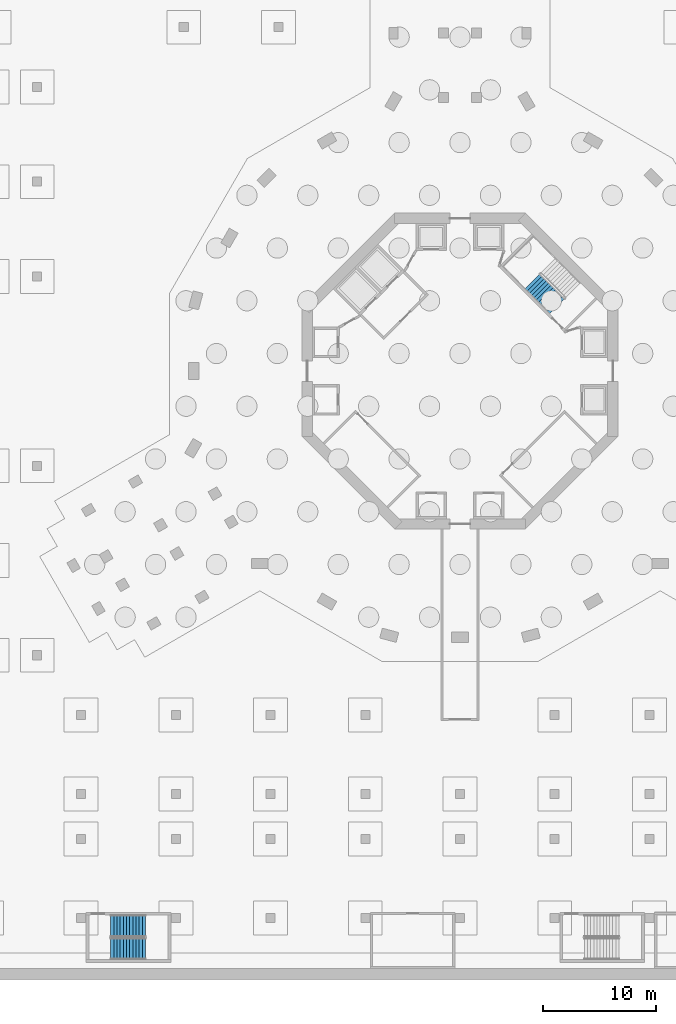
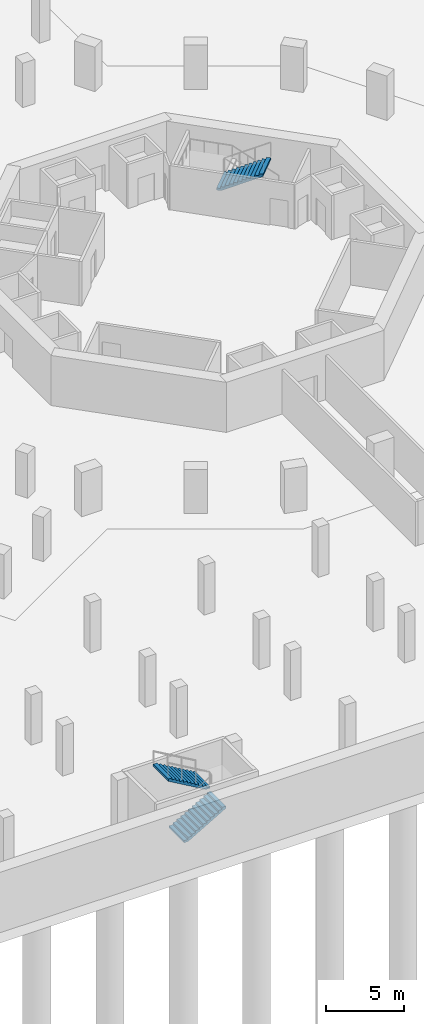
# One storey, part 14 of 27: 3 stair flights, 2 elements without a shape of their own.
"""IFC4 building model written with IfcOpenShell, lengths in metres."""

from ifc_helpers import new_model, si_unit, direction, frame, origin, place, context, subcontext, project, spatial, triangles, material, type_object, element, aggregate, save


model = new_model("IFC4")

# Units and contexts
model_context = context("Model", 3, precision=1e-05, world=origin(), true_north=direction((0.0, 1.0)))
body_context = subcontext(model_context, "Body", "Model", "MODEL_VIEW")
ifc_project = project(units=[si_unit("LENGTHUNIT", "METRE"), si_unit("AREAUNIT", "SQUARE_METRE"), si_unit("VOLUMEUNIT", "CUBIC_METRE"), si_unit("PLANEANGLEUNIT", "RADIAN"), si_unit("MASSUNIT", "GRAM", prefix="KILO")], contexts=[model_context])

# Site, building, storey
site_placement = place(None, origin())
site = spatial("IfcSite", under=ifc_project, at=site_placement, CompositionType="ELEMENT")
building_placement = place(site_placement, origin())
building = spatial("IfcBuilding", under=site, at=building_placement, Name="Verdalira Terraces Hotel", CompositionType="ELEMENT")
storey_placement = place(building_placement, frame((0.0, 0.0, -11.699951)))
storey = spatial("IfcBuildingStorey", under=building, at=storey_placement, Name="B3", CompositionType="ELEMENT", Elevation=-11.699951171875)

# Stair, stair flights
ifc_material_1 = material(Name="Concrete C40", Category="concrete")
stair_type_1 = type_object("IfcStairType", Name="Car park stair 24 risers", PredefinedType="HALF_TURN_STAIR", material=ifc_material_1)
stair_1_placement = place(storey_placement, origin())
stair_1 = element("IfcStair", 1, at=stair_1_placement, inside=storey, type_object=stair_type_1, Name="B3 Exit stair Basement stair 1", PredefinedType="HALF_TURN_STAIR")
ifc_material_2 = material(Name="Concrete C40", Category="concrete")
stair_flight_type_1 = type_object("IfcStairFlightType", Name="Car park stair flight 24 risers", PredefinedType="STRAIGHT", material=ifc_material_2)
stair_flight_1_placement = place(storey_placement, frame((-30.975098, -51.237549, 0.0), z_axis=(0.0, 0.0, 1.0), x_axis=(1.0, 0.0, 0.0)))
stair_flight_1 = element("IfcStairFlight", 2, at=stair_flight_1_placement, type_object=stair_flight_type_1, Name="Basement stair 1 flight 1", NumberOfRisers=12, NumberOfTreads=11, PredefinedType="STRAIGHT", RiserHeight=0.1625, TreadLength=0.28, context=body_context, shape_type="Tessellation", body=[
    triangles([(0.0, 0.962524, 0.0), (0.298584, 0.962524, 0.0), (3.080078, 0.962524, 1.614258), (0.0, -0.962524, 0.0), (0.298584, -0.962524, 0.0), (3.080078, -0.962524, 1.614258), (3.080078, 0.962524, 1.787598), (2.800049, 0.962524, 1.787598), (3.080078, -0.962524, 1.787598), (2.800049, -0.962524, 1.787598), (2.800049, 0.962524, 1.625), (2.800049, -0.962524, 1.625), (2.52002, 0.962524, 1.625), (2.52002, -0.962524, 1.625), (2.52002, 0.962524, 1.462402), (2.52002, -0.962524, 1.462402), (2.23999, 0.962524, 1.462402), (2.23999, 0.962524, 1.300049), (2.23999, -0.962524, 1.462402), (2.23999, -0.962524, 1.300049), (1.959961, 0.962524, 1.300049), (1.959961, 0.962524, 1.137451), (1.959961, -0.962524, 1.300049), (1.959961, -0.962524, 1.137451), (1.679932, 0.962524, 1.137451), (1.679932, 0.962524, 0.975098), (1.679932, -0.962524, 1.137451), (1.679932, -0.962524, 0.975098), (1.399902, 0.962524, 0.975098), (1.399902, 0.962524, 0.8125), (1.399902, -0.962524, 0.975098), (1.399902, -0.962524, 0.8125), (1.120117, 0.962524, 0.8125), (1.120117, 0.962524, 0.649902), (1.120117, -0.962524, 0.8125), (1.120117, -0.962524, 0.649902), (0.840088, 0.962524, 0.649902), (0.840088, 0.962524, 0.487549), (0.840088, -0.962524, 0.649902), (0.840088, -0.962524, 0.487549), (0.560059, 0.962524, 0.487549), (0.560059, 0.962524, 0.324951), (0.560059, -0.962524, 0.487549), (0.560059, -0.962524, 0.324951), (0.280029, 0.962524, 0.324951), (0.280029, 0.962524, 0.162598), (0.280029, -0.962524, 0.324951), (0.280029, -0.962524, 0.162598), (0.0, 0.962524, 0.162598), (0.0, -0.962524, 0.162598), (0.0, -0.902367, 0.0), (0.0, -0.902367, 0.162598), (0.0, -0.842209, 0.0), (0.0, -0.842209, 0.162598), (0.0, -0.782051, 0.0), (0.0, -0.782051, 0.162598), (0.0, -0.721893, 0.0), (0.0, -0.721893, 0.162598), (0.0, -0.661736, 0.0), (0.0, -0.661736, 0.162598), (0.0, -0.601578, 0.0), (0.0, -0.601578, 0.162598), (0.0, -0.54142, 0.0), (0.0, -0.54142, 0.162598), (0.0, -0.481262, 0.0), (0.0, -0.481262, 0.162598), (0.0, -0.421104, 0.0), (0.0, -0.421104, 0.162598), (0.0, -0.360947, 0.0), (0.0, -0.360947, 0.162598), (0.0, -0.300789, 0.0), (0.0, -0.300789, 0.162598), (0.0, -0.240631, 0.0), (0.0, -0.240631, 0.162598), (0.0, -0.180473, 0.0), (0.0, -0.180473, 0.162598), (0.0, -0.120316, 0.0), (0.0, -0.120316, 0.162598), (0.0, -0.060158, 0.0), (0.0, -0.060158, 0.162598), (0.0, 0.0, 0.0), (0.0, 0.0, 0.162598), (0.0, 0.060158, 0.0), (0.0, 0.060158, 0.162598), (0.0, 0.120316, 0.0), (0.0, 0.120316, 0.162598), (0.0, 0.180473, 0.0), (0.0, 0.180473, 0.162598), (0.0, 0.240631, 0.0), (0.0, 0.240631, 0.162598), (0.0, 0.300789, 0.0), (0.0, 0.300789, 0.162598), (0.0, 0.360947, 0.0), (0.0, 0.360947, 0.162598), (0.0, 0.421104, 0.0), (0.0, 0.421104, 0.162598), (0.0, 0.481262, 0.0), (0.0, 0.481262, 0.162598), (0.0, 0.54142, 0.0), (0.0, 0.54142, 0.162598), (0.0, 0.601578, 0.0), (0.0, 0.601578, 0.162598), (0.0, 0.661736, 0.0), (0.0, 0.661736, 0.162598), (0.0, 0.721893, 0.0), (0.0, 0.721893, 0.162598), (0.0, 0.782051, 0.0), (0.0, 0.782051, 0.162598), (0.0, 0.842209, 0.0), (0.0, 0.842209, 0.162598), (0.0, 0.902367, 0.0), (0.0, 0.902367, 0.162598), (3.080078, -0.902367, 1.787598), (3.080078, -0.842209, 1.787598), (3.080078, -0.782051, 1.787598), (3.080078, -0.721893, 1.787598), (3.080078, -0.661736, 1.787598), (3.080078, -0.601578, 1.787598), (3.080078, -0.54142, 1.787598), (3.080078, -0.481262, 1.787598), (3.080078, -0.421104, 1.787598), (3.080078, -0.360947, 1.787598), (3.080078, -0.300789, 1.787598), (3.080078, -0.240631, 1.787598), (3.080078, -0.180473, 1.787598), (3.080078, -0.120316, 1.787598), (3.080078, -0.060158, 1.787598), (3.080078, 0.0, 1.787598), (3.080078, 0.060158, 1.787598), (3.080078, 0.120316, 1.787598), (3.080078, 0.180473, 1.787598), (3.080078, 0.240631, 1.787598), (3.080078, 0.300789, 1.787598), (3.080078, 0.360947, 1.787598), (3.080078, 0.421104, 1.787598), (3.080078, 0.481262, 1.787598), (3.080078, 0.54142, 1.787598), (3.080078, 0.601578, 1.787598), (3.080078, 0.661736, 1.787598), (3.080078, 0.721893, 1.787598), (3.080078, 0.782051, 1.787598), (3.080078, 0.842209, 1.787598), (3.080078, 0.902367, 1.787598), (3.080078, -0.902367, 1.614258), (3.080078, -0.842209, 1.614258), (3.080078, -0.782051, 1.614258), (3.080078, -0.721893, 1.614258), (3.080078, -0.661736, 1.614258), (3.080078, -0.601578, 1.614258), (3.080078, -0.54142, 1.614258), (3.080078, -0.481262, 1.614258), (3.080078, -0.421104, 1.614258), (3.080078, -0.360947, 1.614258), (3.080078, -0.300789, 1.614258), (3.080078, -0.240631, 1.614258), (3.080078, -0.180473, 1.614258), (3.080078, -0.120316, 1.614258), (3.080078, -0.060158, 1.614258), (3.080078, 0.0, 1.614258), (3.080078, 0.060158, 1.614258), (3.080078, 0.120316, 1.614258), (3.080078, 0.180473, 1.614258), (3.080078, 0.240631, 1.614258), (3.080078, 0.300789, 1.614258), (3.080078, 0.360947, 1.614258), (3.080078, 0.421104, 1.614258), (3.080078, 0.481262, 1.614258), (3.080078, 0.54142, 1.614258), (3.080078, 0.601578, 1.614258), (3.080078, 0.661736, 1.614258), (3.080078, 0.721893, 1.614258), (3.080078, 0.782051, 1.614258), (3.080078, 0.842209, 1.614258), (3.080078, 0.902367, 1.614258)], [[1, 3, 2], [4, 5, 6], [3, 8, 7], [6, 9, 10], [3, 11, 8], [6, 10, 12], [3, 13, 11], [6, 12, 14], [3, 15, 13], [6, 14, 16], [15, 18, 17], [16, 19, 20], [3, 18, 15], [6, 16, 20], [18, 22, 21], [20, 23, 24], [3, 22, 18], [6, 20, 24], [22, 26, 25], [24, 27, 28], [3, 26, 22], [6, 24, 28], [26, 30, 29], [28, 31, 32], [3, 30, 26], [6, 28, 32], [30, 34, 33], [32, 35, 36], [3, 34, 30], [6, 32, 36], [34, 38, 37], [36, 39, 40], [3, 38, 34], [6, 36, 40], [38, 42, 41], [40, 43, 44], [3, 42, 38], [6, 40, 44], [1, 42, 3], [4, 6, 44], [42, 46, 45], [44, 47, 48], [1, 46, 42], [4, 44, 48], [46, 1, 49], [48, 50, 4], [4, 52, 51], [4, 50, 52], [51, 54, 53], [51, 52, 54], [53, 56, 55], [53, 54, 56], [55, 58, 57], [55, 56, 58], [57, 60, 59], [57, 58, 60], [59, 62, 61], [59, 60, 62], [61, 64, 63], [61, 62, 64], [63, 66, 65], [63, 64, 66], [65, 68, 67], [65, 66, 68], [67, 70, 69], [67, 68, 70], [69, 72, 71], [69, 70, 72], [71, 74, 73], [71, 72, 74], [73, 76, 75], [73, 74, 76], [75, 78, 77], [75, 76, 78], [77, 80, 79], [77, 78, 80], [79, 82, 81], [79, 80, 82], [81, 84, 83], [81, 82, 84], [83, 86, 85], [83, 84, 86], [85, 88, 87], [85, 86, 88], [87, 90, 89], [87, 88, 90], [89, 92, 91], [89, 90, 92], [91, 94, 93], [91, 92, 94], [93, 96, 95], [93, 94, 96], [95, 98, 97], [95, 96, 98], [97, 100, 99], [97, 98, 100], [99, 102, 101], [99, 100, 102], [101, 104, 103], [101, 102, 104], [103, 106, 105], [103, 104, 106], [105, 108, 107], [105, 106, 108], [107, 110, 109], [107, 108, 110], [109, 112, 111], [109, 110, 112], [111, 49, 1], [111, 112, 49], [50, 48, 52], [52, 48, 54], [54, 48, 56], [56, 48, 58], [58, 48, 60], [60, 48, 62], [62, 48, 64], [64, 48, 66], [66, 48, 68], [68, 48, 70], [70, 48, 72], [72, 48, 74], [74, 48, 76], [76, 48, 78], [78, 48, 80], [80, 48, 82], [82, 48, 84], [84, 48, 86], [86, 48, 88], [88, 48, 90], [90, 48, 92], [92, 48, 94], [94, 48, 96], [96, 48, 98], [98, 48, 100], [100, 48, 102], [102, 48, 104], [104, 48, 106], [106, 48, 108], [108, 48, 110], [110, 48, 112], [112, 48, 49], [49, 48, 46], [48, 45, 46], [48, 47, 45], [47, 42, 45], [47, 44, 42], [44, 41, 42], [44, 43, 41], [43, 38, 41], [43, 40, 38], [40, 37, 38], [40, 39, 37], [39, 34, 37], [39, 36, 34], [36, 33, 34], [36, 35, 33], [35, 30, 33], [35, 32, 30], [32, 29, 30], [32, 31, 29], [31, 26, 29], [31, 28, 26], [28, 25, 26], [28, 27, 25], [27, 22, 25], [27, 24, 22], [24, 21, 22], [24, 23, 21], [23, 18, 21], [23, 20, 18], [20, 17, 18], [20, 19, 17], [19, 15, 17], [19, 16, 15], [16, 13, 15], [16, 14, 13], [14, 11, 13], [14, 12, 11], [12, 8, 11], [12, 10, 8], [9, 113, 10], [113, 114, 10], [114, 115, 10], [115, 116, 10], [116, 117, 10], [117, 118, 10], [118, 119, 10], [119, 120, 10], [120, 121, 10], [121, 122, 10], [122, 123, 10], [123, 124, 10], [124, 125, 10], [125, 126, 10], [126, 127, 10], [127, 128, 10], [128, 129, 10], [129, 130, 10], [130, 131, 10], [131, 132, 10], [132, 133, 10], [133, 134, 10], [134, 135, 10], [135, 136, 10], [136, 137, 10], [137, 138, 10], [138, 139, 10], [139, 140, 10], [140, 141, 10], [141, 142, 10], [142, 143, 10], [143, 7, 10], [7, 8, 10], [9, 144, 113], [9, 6, 144], [113, 145, 114], [113, 144, 145], [114, 146, 115], [114, 145, 146], [115, 147, 116], [115, 146, 147], [116, 148, 117], [116, 147, 148], [117, 149, 118], [117, 148, 149], [118, 150, 119], [118, 149, 150], [119, 151, 120], [119, 150, 151], [120, 152, 121], [120, 151, 152], [121, 153, 122], [121, 152, 153], [122, 154, 123], [122, 153, 154], [123, 155, 124], [123, 154, 155], [124, 156, 125], [124, 155, 156], [125, 157, 126], [125, 156, 157], [126, 158, 127], [126, 157, 158], [127, 159, 128], [127, 158, 159], [128, 160, 129], [128, 159, 160], [129, 161, 130], [129, 160, 161], [130, 162, 131], [130, 161, 162], [131, 163, 132], [131, 162, 163], [132, 164, 133], [132, 163, 164], [133, 165, 134], [133, 164, 165], [134, 166, 135], [134, 165, 166], [135, 167, 136], [135, 166, 167], [136, 168, 137], [136, 167, 168], [137, 169, 138], [137, 168, 169], [138, 170, 139], [138, 169, 170], [139, 171, 140], [139, 170, 171], [140, 172, 141], [140, 171, 172], [141, 173, 142], [141, 172, 173], [142, 174, 143], [142, 173, 174], [143, 3, 7], [143, 174, 3], [6, 5, 144], [144, 5, 145], [145, 5, 146], [146, 5, 147], [147, 5, 148], [148, 5, 149], [149, 5, 150], [150, 5, 151], [151, 5, 152], [152, 5, 153], [153, 5, 154], [154, 5, 155], [155, 5, 156], [156, 5, 157], [157, 5, 158], [158, 5, 159], [159, 5, 160], [160, 5, 161], [161, 5, 162], [162, 5, 163], [163, 5, 164], [164, 5, 165], [165, 5, 166], [166, 5, 167], [167, 5, 168], [168, 5, 169], [169, 5, 170], [170, 5, 171], [171, 5, 172], [172, 5, 173], [173, 5, 174], [174, 5, 3], [3, 5, 2], [4, 51, 5], [51, 53, 5], [53, 55, 5], [55, 57, 5], [57, 59, 5], [59, 61, 5], [61, 63, 5], [63, 65, 5], [65, 67, 5], [67, 69, 5], [69, 71, 5], [71, 73, 5], [73, 75, 5], [75, 77, 5], [77, 79, 5], [79, 81, 5], [81, 83, 5], [83, 85, 5], [85, 87, 5], [87, 89, 5], [89, 91, 5], [91, 93, 5], [93, 95, 5], [95, 97, 5], [97, 99, 5], [99, 101, 5], [101, 103, 5], [103, 105, 5], [105, 107, 5], [107, 109, 5], [109, 111, 5], [111, 1, 5], [1, 2, 5]], closed=True),
])
stair_flight_2_placement = place(storey_placement, frame((-27.89502, -49.212402, 1.949951), z_axis=(0.0, 0.0, 1.0), x_axis=(-1.0, 0.0, 0.0)))
stair_flight_2 = element("IfcStairFlight", 3, at=stair_flight_2_placement, type_object=stair_flight_type_1, Name="Basement stair 1 flight 2", NumberOfRisers=12, NumberOfTreads=11, PredefinedType="STRAIGHT", RiserHeight=0.1625, TreadLength=0.28, context=body_context, shape_type="Tessellation", body=[
    triangles([(0.0, 0.962524, 0.0), (0.298584, 0.962524, 0.0), (3.080078, 0.962524, 1.614258), (0.0, -0.962524, 0.0), (0.298584, -0.962524, 0.0), (3.080078, -0.962524, 1.614258), (3.080078, 0.962524, 1.787598), (2.800049, 0.962524, 1.787598), (3.080078, -0.962524, 1.787598), (2.800049, -0.962524, 1.787598), (2.800049, 0.962524, 1.625), (2.800049, -0.962524, 1.625), (2.52002, 0.962524, 1.625), (2.52002, -0.962524, 1.625), (2.52002, 0.962524, 1.462402), (2.52002, -0.962524, 1.462402), (2.23999, 0.962524, 1.462402), (2.23999, 0.962524, 1.300049), (2.23999, -0.962524, 1.462402), (2.23999, -0.962524, 1.300049), (1.959961, 0.962524, 1.300049), (1.959961, 0.962524, 1.137451), (1.959961, -0.962524, 1.300049), (1.959961, -0.962524, 1.137451), (1.679932, 0.962524, 1.137451), (1.679932, 0.962524, 0.975098), (1.679932, -0.962524, 1.137451), (1.679932, -0.962524, 0.975098), (1.399902, 0.962524, 0.975098), (1.399902, 0.962524, 0.8125), (1.399902, -0.962524, 0.975098), (1.399902, -0.962524, 0.8125), (1.120117, 0.962524, 0.8125), (1.120117, 0.962524, 0.649902), (1.120117, -0.962524, 0.8125), (1.120117, -0.962524, 0.649902), (0.840088, 0.962524, 0.649902), (0.840088, 0.962524, 0.487549), (0.840088, -0.962524, 0.649902), (0.840088, -0.962524, 0.487549), (0.560059, 0.962524, 0.487549), (0.560059, 0.962524, 0.324951), (0.560059, -0.962524, 0.487549), (0.560059, -0.962524, 0.324951), (0.280029, 0.962524, 0.324951), (0.280029, 0.962524, 0.162598), (0.280029, -0.962524, 0.324951), (0.280029, -0.962524, 0.162598), (0.0, 0.962524, 0.162598), (0.0, -0.962524, 0.162598), (0.0, -0.902367, 0.0), (0.0, -0.902367, 0.162598), (0.0, -0.842209, 0.0), (0.0, -0.842209, 0.162598), (0.0, -0.782051, 0.0), (0.0, -0.782051, 0.162598), (0.0, -0.721893, 0.0), (0.0, -0.721893, 0.162598), (0.0, -0.661736, 0.0), (0.0, -0.661736, 0.162598), (0.0, -0.601578, 0.0), (0.0, -0.601578, 0.162598), (0.0, -0.54142, 0.0), (0.0, -0.54142, 0.162598), (0.0, -0.481262, 0.0), (0.0, -0.481262, 0.162598), (0.0, -0.421104, 0.0), (0.0, -0.421104, 0.162598), (0.0, -0.360947, 0.0), (0.0, -0.360947, 0.162598), (0.0, -0.300789, 0.0), (0.0, -0.300789, 0.162598), (0.0, -0.240631, 0.0), (0.0, -0.240631, 0.162598), (0.0, -0.180473, 0.0), (0.0, -0.180473, 0.162598), (0.0, -0.120316, 0.0), (0.0, -0.120316, 0.162598), (0.0, -0.060158, 0.0), (0.0, -0.060158, 0.162598), (0.0, 0.0, 0.0), (0.0, 0.0, 0.162598), (0.0, 0.060158, 0.0), (0.0, 0.060158, 0.162598), (0.0, 0.120316, 0.0), (0.0, 0.120316, 0.162598), (0.0, 0.180473, 0.0), (0.0, 0.180473, 0.162598), (0.0, 0.240631, 0.0), (0.0, 0.240631, 0.162598), (0.0, 0.300789, 0.0), (0.0, 0.300789, 0.162598), (0.0, 0.360947, 0.0), (0.0, 0.360947, 0.162598), (0.0, 0.421104, 0.0), (0.0, 0.421104, 0.162598), (0.0, 0.481262, 0.0), (0.0, 0.481262, 0.162598), (0.0, 0.54142, 0.0), (0.0, 0.54142, 0.162598), (0.0, 0.601578, 0.0), (0.0, 0.601578, 0.162598), (0.0, 0.661736, 0.0), (0.0, 0.661736, 0.162598), (0.0, 0.721893, 0.0), (0.0, 0.721893, 0.162598), (0.0, 0.782051, 0.0), (0.0, 0.782051, 0.162598), (0.0, 0.842209, 0.0), (0.0, 0.842209, 0.162598), (0.0, 0.902367, 0.0), (0.0, 0.902367, 0.162598), (3.080078, -0.902367, 1.787598), (3.080078, -0.842209, 1.787598), (3.080078, -0.782051, 1.787598), (3.080078, -0.721893, 1.787598), (3.080078, -0.661736, 1.787598), (3.080078, -0.601578, 1.787598), (3.080078, -0.54142, 1.787598), (3.080078, -0.481262, 1.787598), (3.080078, -0.421104, 1.787598), (3.080078, -0.360947, 1.787598), (3.080078, -0.300789, 1.787598), (3.080078, -0.240631, 1.787598), (3.080078, -0.180473, 1.787598), (3.080078, -0.120316, 1.787598), (3.080078, -0.060158, 1.787598), (3.080078, 0.0, 1.787598), (3.080078, 0.060158, 1.787598), (3.080078, 0.120316, 1.787598), (3.080078, 0.180473, 1.787598), (3.080078, 0.240631, 1.787598), (3.080078, 0.300789, 1.787598), (3.080078, 0.360947, 1.787598), (3.080078, 0.421104, 1.787598), (3.080078, 0.481262, 1.787598), (3.080078, 0.54142, 1.787598), (3.080078, 0.601578, 1.787598), (3.080078, 0.661736, 1.787598), (3.080078, 0.721893, 1.787598), (3.080078, 0.782051, 1.787598), (3.080078, 0.842209, 1.787598), (3.080078, 0.902367, 1.787598), (3.080078, -0.902367, 1.614258), (3.080078, -0.842209, 1.614258), (3.080078, -0.782051, 1.614258), (3.080078, -0.721893, 1.614258), (3.080078, -0.661736, 1.614258), (3.080078, -0.601578, 1.614258), (3.080078, -0.54142, 1.614258), (3.080078, -0.481262, 1.614258), (3.080078, -0.421104, 1.614258), (3.080078, -0.360947, 1.614258), (3.080078, -0.300789, 1.614258), (3.080078, -0.240631, 1.614258), (3.080078, -0.180473, 1.614258), (3.080078, -0.120316, 1.614258), (3.080078, -0.060158, 1.614258), (3.080078, 0.0, 1.614258), (3.080078, 0.060158, 1.614258), (3.080078, 0.120316, 1.614258), (3.080078, 0.180473, 1.614258), (3.080078, 0.240631, 1.614258), (3.080078, 0.300789, 1.614258), (3.080078, 0.360947, 1.614258), (3.080078, 0.421104, 1.614258), (3.080078, 0.481262, 1.614258), (3.080078, 0.54142, 1.614258), (3.080078, 0.601578, 1.614258), (3.080078, 0.661736, 1.614258), (3.080078, 0.721893, 1.614258), (3.080078, 0.782051, 1.614258), (3.080078, 0.842209, 1.614258), (3.080078, 0.902367, 1.614258)], [[1, 3, 2], [4, 5, 6], [3, 8, 7], [6, 9, 10], [3, 11, 8], [6, 10, 12], [3, 13, 11], [6, 12, 14], [3, 15, 13], [6, 14, 16], [15, 18, 17], [16, 19, 20], [3, 18, 15], [6, 16, 20], [18, 22, 21], [20, 23, 24], [3, 22, 18], [6, 20, 24], [22, 26, 25], [24, 27, 28], [3, 26, 22], [6, 24, 28], [26, 30, 29], [28, 31, 32], [3, 30, 26], [6, 28, 32], [30, 34, 33], [32, 35, 36], [3, 34, 30], [6, 32, 36], [34, 38, 37], [36, 39, 40], [3, 38, 34], [6, 36, 40], [38, 42, 41], [40, 43, 44], [3, 42, 38], [6, 40, 44], [1, 42, 3], [4, 6, 44], [42, 46, 45], [44, 47, 48], [1, 46, 42], [4, 44, 48], [46, 1, 49], [48, 50, 4], [4, 52, 51], [4, 50, 52], [51, 54, 53], [51, 52, 54], [53, 56, 55], [53, 54, 56], [55, 58, 57], [55, 56, 58], [57, 60, 59], [57, 58, 60], [59, 62, 61], [59, 60, 62], [61, 64, 63], [61, 62, 64], [63, 66, 65], [63, 64, 66], [65, 68, 67], [65, 66, 68], [67, 70, 69], [67, 68, 70], [69, 72, 71], [69, 70, 72], [71, 74, 73], [71, 72, 74], [73, 76, 75], [73, 74, 76], [75, 78, 77], [75, 76, 78], [77, 80, 79], [77, 78, 80], [79, 82, 81], [79, 80, 82], [81, 84, 83], [81, 82, 84], [83, 86, 85], [83, 84, 86], [85, 88, 87], [85, 86, 88], [87, 90, 89], [87, 88, 90], [89, 92, 91], [89, 90, 92], [91, 94, 93], [91, 92, 94], [93, 96, 95], [93, 94, 96], [95, 98, 97], [95, 96, 98], [97, 100, 99], [97, 98, 100], [99, 102, 101], [99, 100, 102], [101, 104, 103], [101, 102, 104], [103, 106, 105], [103, 104, 106], [105, 108, 107], [105, 106, 108], [107, 110, 109], [107, 108, 110], [109, 112, 111], [109, 110, 112], [111, 49, 1], [111, 112, 49], [50, 48, 52], [52, 48, 54], [54, 48, 56], [56, 48, 58], [58, 48, 60], [60, 48, 62], [62, 48, 64], [64, 48, 66], [66, 48, 68], [68, 48, 70], [70, 48, 72], [72, 48, 74], [74, 48, 76], [76, 48, 78], [78, 48, 80], [80, 48, 82], [82, 48, 84], [84, 48, 86], [86, 48, 88], [88, 48, 90], [90, 48, 92], [92, 48, 94], [94, 48, 96], [96, 48, 98], [98, 48, 100], [100, 48, 102], [102, 48, 104], [104, 48, 106], [106, 48, 108], [108, 48, 110], [110, 48, 112], [112, 48, 49], [49, 48, 46], [48, 45, 46], [48, 47, 45], [47, 42, 45], [47, 44, 42], [44, 41, 42], [44, 43, 41], [43, 38, 41], [43, 40, 38], [40, 37, 38], [40, 39, 37], [39, 34, 37], [39, 36, 34], [36, 33, 34], [36, 35, 33], [35, 30, 33], [35, 32, 30], [32, 29, 30], [32, 31, 29], [31, 26, 29], [31, 28, 26], [28, 25, 26], [28, 27, 25], [27, 22, 25], [27, 24, 22], [24, 21, 22], [24, 23, 21], [23, 18, 21], [23, 20, 18], [20, 17, 18], [20, 19, 17], [19, 15, 17], [19, 16, 15], [16, 13, 15], [16, 14, 13], [14, 11, 13], [14, 12, 11], [12, 8, 11], [12, 10, 8], [9, 113, 10], [113, 114, 10], [114, 115, 10], [115, 116, 10], [116, 117, 10], [117, 118, 10], [118, 119, 10], [119, 120, 10], [120, 121, 10], [121, 122, 10], [122, 123, 10], [123, 124, 10], [124, 125, 10], [125, 126, 10], [126, 127, 10], [127, 128, 10], [128, 129, 10], [129, 130, 10], [130, 131, 10], [131, 132, 10], [132, 133, 10], [133, 134, 10], [134, 135, 10], [135, 136, 10], [136, 137, 10], [137, 138, 10], [138, 139, 10], [139, 140, 10], [140, 141, 10], [141, 142, 10], [142, 143, 10], [143, 7, 10], [7, 8, 10], [9, 144, 113], [9, 6, 144], [113, 145, 114], [113, 144, 145], [114, 146, 115], [114, 145, 146], [115, 147, 116], [115, 146, 147], [116, 148, 117], [116, 147, 148], [117, 149, 118], [117, 148, 149], [118, 150, 119], [118, 149, 150], [119, 151, 120], [119, 150, 151], [120, 152, 121], [120, 151, 152], [121, 153, 122], [121, 152, 153], [122, 154, 123], [122, 153, 154], [123, 155, 124], [123, 154, 155], [124, 156, 125], [124, 155, 156], [125, 157, 126], [125, 156, 157], [126, 158, 127], [126, 157, 158], [127, 159, 128], [127, 158, 159], [128, 160, 129], [128, 159, 160], [129, 161, 130], [129, 160, 161], [130, 162, 131], [130, 161, 162], [131, 163, 132], [131, 162, 163], [132, 164, 133], [132, 163, 164], [133, 165, 134], [133, 164, 165], [134, 166, 135], [134, 165, 166], [135, 167, 136], [135, 166, 167], [136, 168, 137], [136, 167, 168], [137, 169, 138], [137, 168, 169], [138, 170, 139], [138, 169, 170], [139, 171, 140], [139, 170, 171], [140, 172, 141], [140, 171, 172], [141, 173, 142], [141, 172, 173], [142, 174, 143], [142, 173, 174], [143, 3, 7], [143, 174, 3], [6, 5, 144], [144, 5, 145], [145, 5, 146], [146, 5, 147], [147, 5, 148], [148, 5, 149], [149, 5, 150], [150, 5, 151], [151, 5, 152], [152, 5, 153], [153, 5, 154], [154, 5, 155], [155, 5, 156], [156, 5, 157], [157, 5, 158], [158, 5, 159], [159, 5, 160], [160, 5, 161], [161, 5, 162], [162, 5, 163], [163, 5, 164], [164, 5, 165], [165, 5, 166], [166, 5, 167], [167, 5, 168], [168, 5, 169], [169, 5, 170], [170, 5, 171], [171, 5, 172], [172, 5, 173], [173, 5, 174], [174, 5, 3], [3, 5, 2], [4, 51, 5], [51, 53, 5], [53, 55, 5], [55, 57, 5], [57, 59, 5], [59, 61, 5], [61, 63, 5], [63, 65, 5], [65, 67, 5], [67, 69, 5], [69, 71, 5], [71, 73, 5], [73, 75, 5], [75, 77, 5], [77, 79, 5], [79, 81, 5], [81, 83, 5], [83, 85, 5], [85, 87, 5], [87, 89, 5], [89, 91, 5], [91, 93, 5], [93, 95, 5], [95, 97, 5], [97, 99, 5], [99, 101, 5], [101, 103, 5], [103, 105, 5], [105, 107, 5], [107, 109, 5], [109, 111, 5], [111, 1, 5], [1, 2, 5]], closed=True),
])
aggregate(stair_1, [stair_flight_1, stair_flight_2])

# Stair, stair flight
ifc_material_3 = material(Name="Concrete C40", Category="concrete")
stair_type_2 = type_object("IfcStairType", Name="Core stair 24 risers 1900 mm wide", PredefinedType="HALF_TURN_STAIR", material=ifc_material_3)
stair_2_placement = place(storey_placement, origin())
stair_2 = element("IfcStair", 4, at=stair_2_placement, inside=storey, type_object=stair_type_2, Name="B3 Exit stair ST1", PredefinedType="HALF_TURN_STAIR")
ifc_material_4 = material(Name="Concrete C40", Category="concrete")
stair_flight_type_2 = type_object("IfcStairFlightType", Name="Core stair flight 24 risers 1900 mm wide", PredefinedType="STRAIGHT", material=ifc_material_4)
stair_flight_3_placement = place(storey_placement, frame((6.413574, 7.940918, 1.949951), z_axis=(0.0, 0.0, 1.0), x_axis=(0.707106781, -0.707106781, 0.0)))
stair_flight_3 = element("IfcStairFlight", 5, at=stair_flight_3_placement, type_object=stair_flight_type_2, Name="ST1 flight 2", NumberOfRisers=12, NumberOfTreads=11, PredefinedType="STRAIGHT", RiserHeight=0.1625, TreadLength=0.28, context=body_context, shape_type="Tessellation", body=[
    triangles([(0.0, 0.949951, 0.0), (0.298584, 0.949951, 0.0), (3.080078, 0.949951, 1.614258), (0.0, -0.949951, 0.0), (0.298584, -0.949951, 0.0), (3.080078, -0.949951, 1.614258), (3.080078, 0.949951, 1.787598), (2.800049, 0.949951, 1.787598), (3.080078, -0.949951, 1.787598), (2.800049, -0.949951, 1.787598), (2.800049, 0.949951, 1.625), (2.800049, -0.949951, 1.625), (2.52002, 0.949951, 1.625), (2.52002, -0.949951, 1.625), (2.52002, 0.949951, 1.462402), (2.52002, -0.949951, 1.462402), (2.23999, 0.949951, 1.462402), (2.23999, 0.949951, 1.300049), (2.23999, -0.949951, 1.462402), (2.23999, -0.949951, 1.300049), (1.959961, 0.949951, 1.300049), (1.959961, 0.949951, 1.137451), (1.959961, -0.949951, 1.300049), (1.959961, -0.949951, 1.137451), (1.679932, 0.949951, 1.137451), (1.679932, 0.949951, 0.975098), (1.679932, -0.949951, 1.137451), (1.679932, -0.949951, 0.975098), (1.399902, 0.949951, 0.975098), (1.399902, 0.949951, 0.8125), (1.399902, -0.949951, 0.975098), (1.399902, -0.949951, 0.8125), (1.120117, 0.949951, 0.8125), (1.120117, 0.949951, 0.649902), (1.120117, -0.949951, 0.8125), (1.120117, -0.949951, 0.649902), (0.840088, 0.949951, 0.649902), (0.840088, 0.949951, 0.487549), (0.840088, -0.949951, 0.649902), (0.840088, -0.949951, 0.487549), (0.560059, 0.949951, 0.487549), (0.560059, 0.949951, 0.324951), (0.560059, -0.949951, 0.487549), (0.560059, -0.949951, 0.324951), (0.280029, 0.949951, 0.324951), (0.280029, 0.949951, 0.162598), (0.280029, -0.949951, 0.324951), (0.280029, -0.949951, 0.162598), (0.0, 0.949951, 0.162598), (0.0, -0.949951, 0.162598), (0.0, -0.890579, 0.0), (0.0, -0.890579, 0.162598), (0.0, -0.831207, 0.0), (0.0, -0.831207, 0.162598), (0.0, -0.771835, 0.0), (0.0, -0.771835, 0.162598), (0.0, -0.712463, 0.0), (0.0, -0.712463, 0.162598), (0.0, -0.653091, 0.0), (0.0, -0.653091, 0.162598), (0.0, -0.593719, 0.0), (0.0, -0.593719, 0.162598), (0.0, -0.534348, 0.0), (0.0, -0.534348, 0.162598), (0.0, -0.474976, 0.0), (0.0, -0.474976, 0.162598), (0.0, -0.415604, 0.0), (0.0, -0.415604, 0.162598), (0.0, -0.356232, 0.0), (0.0, -0.356232, 0.162598), (0.0, -0.29686, 0.0), (0.0, -0.29686, 0.162598), (0.0, -0.237488, 0.0), (0.0, -0.237488, 0.162598), (0.0, -0.178116, 0.0), (0.0, -0.178116, 0.162598), (0.0, -0.118744, 0.0), (0.0, -0.118744, 0.162598), (0.0, -0.059372, 0.0), (0.0, -0.059372, 0.162598), (0.0, 0.0, 0.0), (0.0, 0.0, 0.162598), (0.0, 0.059372, 0.0), (0.0, 0.059372, 0.162598), (0.0, 0.118744, 0.0), (0.0, 0.118744, 0.162598), (0.0, 0.178116, 0.0), (0.0, 0.178116, 0.162598), (0.0, 0.237488, 0.0), (0.0, 0.237488, 0.162598), (0.0, 0.29686, 0.0), (0.0, 0.29686, 0.162598), (0.0, 0.356232, 0.0), (0.0, 0.356232, 0.162598), (0.0, 0.415604, 0.0), (0.0, 0.415604, 0.162598), (0.0, 0.474976, 0.0), (0.0, 0.474976, 0.162598), (0.0, 0.534348, 0.0), (0.0, 0.534348, 0.162598), (0.0, 0.593719, 0.0), (0.0, 0.593719, 0.162598), (0.0, 0.653091, 0.0), (0.0, 0.653091, 0.162598), (0.0, 0.712463, 0.0), (0.0, 0.712463, 0.162598), (0.0, 0.771835, 0.0), (0.0, 0.771835, 0.162598), (0.0, 0.831207, 0.0), (0.0, 0.831207, 0.162598), (0.0, 0.890579, 0.0), (0.0, 0.890579, 0.162598), (3.080078, -0.890579, 1.787598), (3.080078, -0.831207, 1.787598), (3.080078, -0.771835, 1.787598), (3.080078, -0.712463, 1.787598), (3.080078, -0.653091, 1.787598), (3.080078, -0.593719, 1.787598), (3.080078, -0.534348, 1.787598), (3.080078, -0.474976, 1.787598), (3.080078, -0.415604, 1.787598), (3.080078, -0.356232, 1.787598), (3.080078, -0.29686, 1.787598), (3.080078, -0.237488, 1.787598), (3.080078, -0.178116, 1.787598), (3.080078, -0.118744, 1.787598), (3.080078, -0.059372, 1.787598), (3.080078, 0.0, 1.787598), (3.080078, 0.059372, 1.787598), (3.080078, 0.118744, 1.787598), (3.080078, 0.178116, 1.787598), (3.080078, 0.237488, 1.787598), (3.080078, 0.29686, 1.787598), (3.080078, 0.356232, 1.787598), (3.080078, 0.415604, 1.787598), (3.080078, 0.474976, 1.787598), (3.080078, 0.534348, 1.787598), (3.080078, 0.593719, 1.787598), (3.080078, 0.653091, 1.787598), (3.080078, 0.712463, 1.787598), (3.080078, 0.771835, 1.787598), (3.080078, 0.831207, 1.787598), (3.080078, 0.890579, 1.787598), (3.080078, -0.890579, 1.614258), (3.080078, -0.831207, 1.614258), (3.080078, -0.771835, 1.614258), (3.080078, -0.712463, 1.614258), (3.080078, -0.653091, 1.614258), (3.080078, -0.593719, 1.614258), (3.080078, -0.534348, 1.614258), (3.080078, -0.474976, 1.614258), (3.080078, -0.415604, 1.614258), (3.080078, -0.356232, 1.614258), (3.080078, -0.29686, 1.614258), (3.080078, -0.237488, 1.614258), (3.080078, -0.178116, 1.614258), (3.080078, -0.118744, 1.614258), (3.080078, -0.059372, 1.614258), (3.080078, 0.0, 1.614258), (3.080078, 0.059372, 1.614258), (3.080078, 0.118744, 1.614258), (3.080078, 0.178116, 1.614258), (3.080078, 0.237488, 1.614258), (3.080078, 0.29686, 1.614258), (3.080078, 0.356232, 1.614258), (3.080078, 0.415604, 1.614258), (3.080078, 0.474976, 1.614258), (3.080078, 0.534348, 1.614258), (3.080078, 0.593719, 1.614258), (3.080078, 0.653091, 1.614258), (3.080078, 0.712463, 1.614258), (3.080078, 0.771835, 1.614258), (3.080078, 0.831207, 1.614258), (3.080078, 0.890579, 1.614258)], [[1, 3, 2], [4, 5, 6], [3, 8, 7], [6, 9, 10], [3, 11, 8], [6, 10, 12], [3, 13, 11], [6, 12, 14], [3, 15, 13], [6, 14, 16], [15, 18, 17], [16, 19, 20], [3, 18, 15], [6, 16, 20], [18, 22, 21], [20, 23, 24], [3, 22, 18], [6, 20, 24], [22, 26, 25], [24, 27, 28], [3, 26, 22], [6, 24, 28], [26, 30, 29], [28, 31, 32], [3, 30, 26], [6, 28, 32], [30, 34, 33], [32, 35, 36], [3, 34, 30], [6, 32, 36], [34, 38, 37], [36, 39, 40], [3, 38, 34], [6, 36, 40], [38, 42, 41], [40, 43, 44], [3, 42, 38], [6, 40, 44], [1, 42, 3], [4, 6, 44], [42, 46, 45], [44, 47, 48], [1, 46, 42], [4, 44, 48], [46, 1, 49], [48, 50, 4], [4, 52, 51], [4, 50, 52], [51, 54, 53], [51, 52, 54], [53, 56, 55], [53, 54, 56], [55, 58, 57], [55, 56, 58], [57, 60, 59], [57, 58, 60], [59, 62, 61], [59, 60, 62], [61, 64, 63], [61, 62, 64], [63, 66, 65], [63, 64, 66], [65, 68, 67], [65, 66, 68], [67, 70, 69], [67, 68, 70], [69, 72, 71], [69, 70, 72], [71, 74, 73], [71, 72, 74], [73, 76, 75], [73, 74, 76], [75, 78, 77], [75, 76, 78], [77, 80, 79], [77, 78, 80], [79, 82, 81], [79, 80, 82], [81, 84, 83], [81, 82, 84], [83, 86, 85], [83, 84, 86], [85, 88, 87], [85, 86, 88], [87, 90, 89], [87, 88, 90], [89, 92, 91], [89, 90, 92], [91, 94, 93], [91, 92, 94], [93, 96, 95], [93, 94, 96], [95, 98, 97], [95, 96, 98], [97, 100, 99], [97, 98, 100], [99, 102, 101], [99, 100, 102], [101, 104, 103], [101, 102, 104], [103, 106, 105], [103, 104, 106], [105, 108, 107], [105, 106, 108], [107, 110, 109], [107, 108, 110], [109, 112, 111], [109, 110, 112], [111, 49, 1], [111, 112, 49], [50, 48, 52], [52, 48, 54], [54, 48, 56], [56, 48, 58], [58, 48, 60], [60, 48, 62], [62, 48, 64], [64, 48, 66], [66, 48, 68], [68, 48, 70], [70, 48, 72], [72, 48, 74], [74, 48, 76], [76, 48, 78], [78, 48, 80], [80, 48, 82], [82, 48, 84], [84, 48, 86], [86, 48, 88], [88, 48, 90], [90, 48, 92], [92, 48, 94], [94, 48, 96], [96, 48, 98], [98, 48, 100], [100, 48, 102], [102, 48, 104], [104, 48, 106], [106, 48, 108], [108, 48, 110], [110, 48, 112], [112, 48, 49], [49, 48, 46], [48, 45, 46], [48, 47, 45], [47, 42, 45], [47, 44, 42], [44, 41, 42], [44, 43, 41], [43, 38, 41], [43, 40, 38], [40, 37, 38], [40, 39, 37], [39, 34, 37], [39, 36, 34], [36, 33, 34], [36, 35, 33], [35, 30, 33], [35, 32, 30], [32, 29, 30], [32, 31, 29], [31, 26, 29], [31, 28, 26], [28, 25, 26], [28, 27, 25], [27, 22, 25], [27, 24, 22], [24, 21, 22], [24, 23, 21], [23, 18, 21], [23, 20, 18], [20, 17, 18], [20, 19, 17], [19, 15, 17], [19, 16, 15], [16, 13, 15], [16, 14, 13], [14, 11, 13], [14, 12, 11], [12, 8, 11], [12, 10, 8], [9, 113, 10], [113, 114, 10], [114, 115, 10], [115, 116, 10], [116, 117, 10], [117, 118, 10], [118, 119, 10], [119, 120, 10], [120, 121, 10], [121, 122, 10], [122, 123, 10], [123, 124, 10], [124, 125, 10], [125, 126, 10], [126, 127, 10], [127, 128, 10], [128, 129, 10], [129, 130, 10], [130, 131, 10], [131, 132, 10], [132, 133, 10], [133, 134, 10], [134, 135, 10], [135, 136, 10], [136, 137, 10], [137, 138, 10], [138, 139, 10], [139, 140, 10], [140, 141, 10], [141, 142, 10], [142, 143, 10], [143, 7, 10], [7, 8, 10], [9, 144, 113], [9, 6, 144], [113, 145, 114], [113, 144, 145], [114, 146, 115], [114, 145, 146], [115, 147, 116], [115, 146, 147], [116, 148, 117], [116, 147, 148], [117, 149, 118], [117, 148, 149], [118, 150, 119], [118, 149, 150], [119, 151, 120], [119, 150, 151], [120, 152, 121], [120, 151, 152], [121, 153, 122], [121, 152, 153], [122, 154, 123], [122, 153, 154], [123, 155, 124], [123, 154, 155], [124, 156, 125], [124, 155, 156], [125, 157, 126], [125, 156, 157], [126, 158, 127], [126, 157, 158], [127, 159, 128], [127, 158, 159], [128, 160, 129], [128, 159, 160], [129, 161, 130], [129, 160, 161], [130, 162, 131], [130, 161, 162], [131, 163, 132], [131, 162, 163], [132, 164, 133], [132, 163, 164], [133, 165, 134], [133, 164, 165], [134, 166, 135], [134, 165, 166], [135, 167, 136], [135, 166, 167], [136, 168, 137], [136, 167, 168], [137, 169, 138], [137, 168, 169], [138, 170, 139], [138, 169, 170], [139, 171, 140], [139, 170, 171], [140, 172, 141], [140, 171, 172], [141, 173, 142], [141, 172, 173], [142, 174, 143], [142, 173, 174], [143, 3, 7], [143, 174, 3], [6, 5, 144], [144, 5, 145], [145, 5, 146], [146, 5, 147], [147, 5, 148], [148, 5, 149], [149, 5, 150], [150, 5, 151], [151, 5, 152], [152, 5, 153], [153, 5, 154], [154, 5, 155], [155, 5, 156], [156, 5, 157], [157, 5, 158], [158, 5, 159], [159, 5, 160], [160, 5, 161], [161, 5, 162], [162, 5, 163], [163, 5, 164], [164, 5, 165], [165, 5, 166], [166, 5, 167], [167, 5, 168], [168, 5, 169], [169, 5, 170], [170, 5, 171], [171, 5, 172], [172, 5, 173], [173, 5, 174], [174, 5, 3], [3, 5, 2], [4, 51, 5], [51, 53, 5], [53, 55, 5], [55, 57, 5], [57, 59, 5], [59, 61, 5], [61, 63, 5], [63, 65, 5], [65, 67, 5], [67, 69, 5], [69, 71, 5], [71, 73, 5], [73, 75, 5], [75, 77, 5], [77, 79, 5], [79, 81, 5], [81, 83, 5], [83, 85, 5], [85, 87, 5], [87, 89, 5], [89, 91, 5], [91, 93, 5], [93, 95, 5], [95, 97, 5], [97, 99, 5], [99, 101, 5], [101, 103, 5], [103, 105, 5], [105, 107, 5], [107, 109, 5], [109, 111, 5], [111, 1, 5], [1, 2, 5]], closed=True),
])
aggregate(stair_2, [stair_flight_3])

save(model, "model.ifc")
